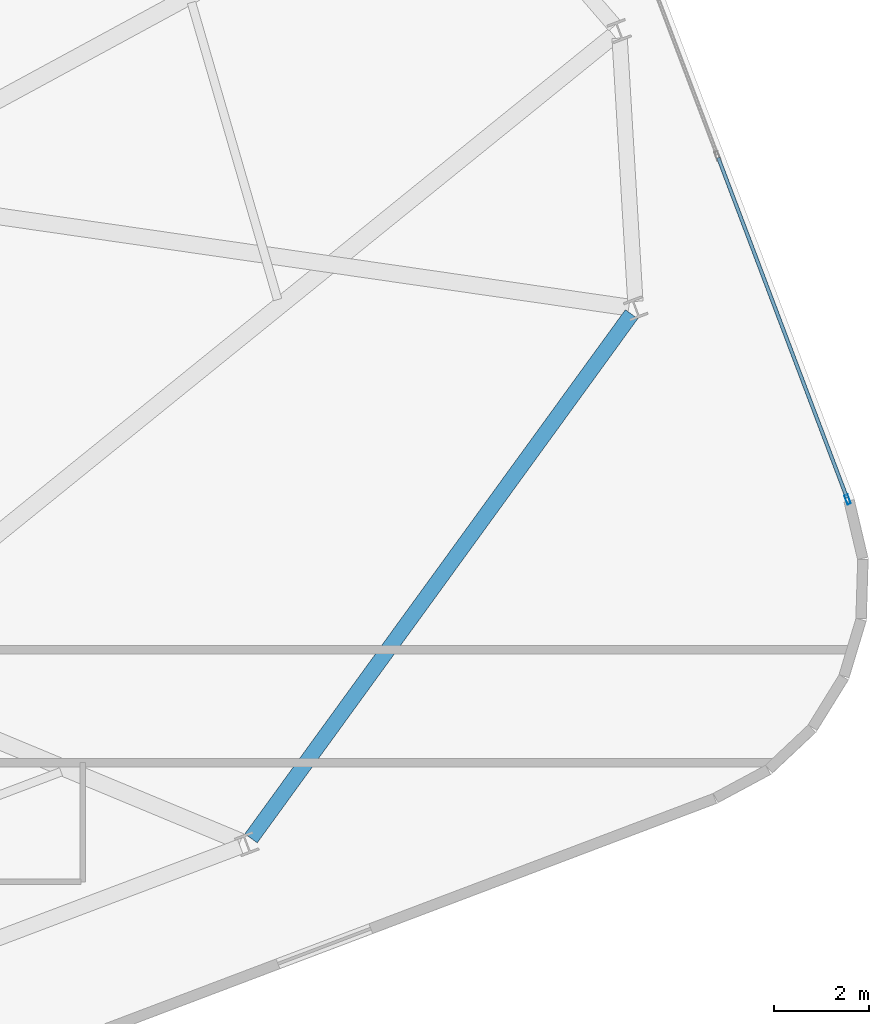
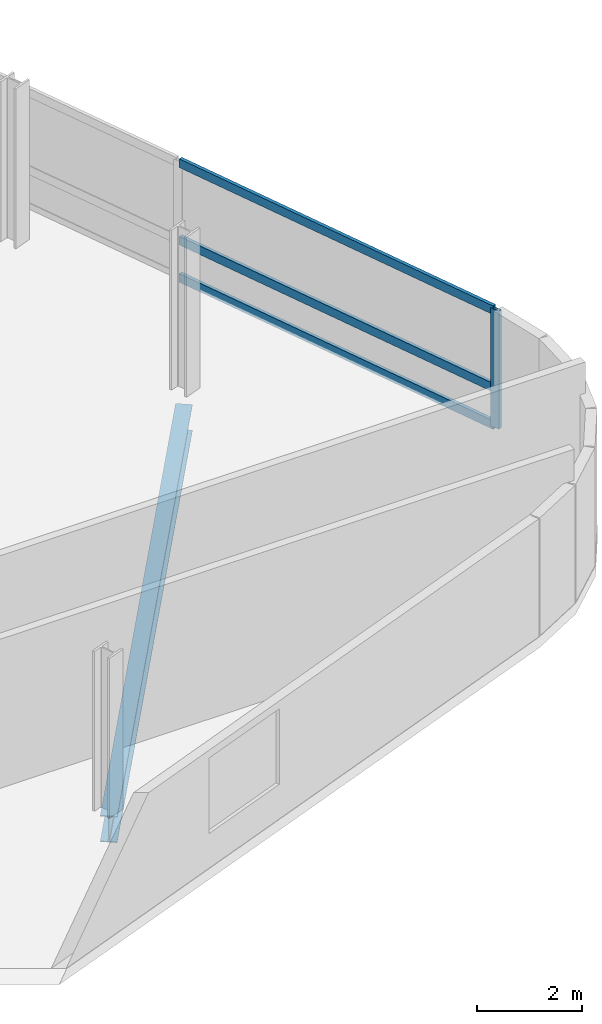
# One storey, part 11 of 20: 4 members, 1 beam, 1 element without a shape of its own.
"""IFC4 building model written with IfcOpenShell, lengths in metres."""

from ifc_helpers import new_model, si_unit, direction, frame, origin, origin_2d, place, context, subcontext, project, spatial, hollow_rectangle, i_section, extrude, material, layer, layer_set, material_profile, profile_set, type_object, element, aggregate, save


model = new_model("IFC4")

# Units and contexts
model_context = context("Model", 3, precision=1e-05, world=origin(), true_north=direction((0.0, 1.0)))
body_context = subcontext(model_context, "Body", "Model", "MODEL_VIEW")
ifc_project = project(units=[si_unit("LENGTHUNIT", "METRE"), si_unit("AREAUNIT", "SQUARE_METRE"), si_unit("VOLUMEUNIT", "CUBIC_METRE"), si_unit("PLANEANGLEUNIT", "RADIAN"), si_unit("MASSUNIT", "GRAM", prefix="KILO")], contexts=[model_context])

# Site, building, storey
site_placement = place(None, origin())
site = spatial("IfcSite", under=ifc_project, at=site_placement, CompositionType="ELEMENT")
building_placement = place(site_placement, origin())
building = spatial("IfcBuilding", under=site, at=building_placement, Name="Varnelok Gate Tower", CompositionType="ELEMENT")
storey_placement = place(building_placement, frame((0.0, 0.0, 216.39990234375)))
storey = spatial("IfcBuildingStorey", under=building, at=storey_placement, Name="L55", CompositionType="ELEMENT", Elevation=216.39990234375)

# Beam
ifc_material_1 = material(Name="Structural Steel ASTM A992 Grade 50", Category="steel")
ifc_material_profile_1 = material_profile(ifc_material_1, i_section(OverallWidth=0.323974609375, OverallDepth=0.611083984375, WebThickness=0.0126953125, FlangeThickness=0.01904296875, FilletRadius=0.01806640625, at=origin_2d()), Name="W24X104")
ifc_profile_set_1 = profile_set([ifc_material_profile_1], Name="Structural Steel ASTM A992 Grade 50")
beam_type = type_object("IfcBeamType", Name="BM-SPN-W24X104", PredefinedType="SPANDREL", material=ifc_profile_set_1)
beam_placement = place(storey_placement, frame((62.92041015625, 15.249755859375, -0.555419921875), z_axis=(0.58754084914, 0.809194507267, 0.0), x_axis=(-0.809194507267, 0.58754084914, 0.0)))
element("IfcBeam", 1, at=beam_placement, inside=storey, type_object=beam_type, Name="L55 Perimeter Spandrel Beam 5", PredefinedType="SPANDREL", context=body_context, shape_type="SweptSolid", body=[
    extrude(i_section(OverallWidth=0.323974609375, OverallDepth=0.611083984375, WebThickness=0.0126953125, FlangeThickness=0.01904296875, FilletRadius=0.01806640625, at=origin_2d()), origin(), (0.0, 0.0, 1.0), 13.695556640625),
])

# Curtain wall, members
ifc_material_2 = material(Name="Anodized Aluminum Alloy 6063-T6", Category="aluminium")
ifc_layer = layer(ifc_material_2, 0.179931640625)
ifc_layer_set = layer_set([ifc_layer], Name="Anodized Aluminum Alloy 6063-T6")
curtain_wall_type = type_object("IfcCurtainWallType", Name="CW4-RESIDENCE-VISION", PredefinedType="USERDEFINED", material=ifc_layer_set)
curtain_wall_placement = place(storey_placement, origin())
curtain_wall = element("IfcCurtainWall", 2, at=curtain_wall_placement, inside=storey, type_object=curtain_wall_type, Name="L55 East End Vision Curtain Wall", ObjectType="UNITISED CURTAIN WALL", PredefinedType="USERDEFINED")
ifc_material_profile_2 = material_profile(ifc_material_2, hollow_rectangle(XDim=0.074951171875, YDim=0.199951171875, WallThickness=0.00390625, at=origin_2d()), Name="ALU200X75X4")
ifc_profile_set_2 = profile_set([ifc_material_profile_2], Name="Anodized Aluminum Alloy 6063-T6")
member_type_1 = type_object("IfcMemberType", Name="CW-MULL-200", PredefinedType="MULLION", material=ifc_profile_set_2)
member_1_placement = place(storey_placement, frame((75.534912109375, 22.41552734375, 0.0), z_axis=(0.0, 0.0, 1.0), x_axis=(0.935221557832, 0.354063042079, 0.0)))
member_1 = element("IfcMember", 3, at=member_1_placement, type_object=member_type_1, Name="CW4 mullion 5", PredefinedType="MULLION", context=body_context, shape_type="SweptSolid", body=[
    extrude(hollow_rectangle(XDim=0.074951171875, YDim=0.199951171875, WallThickness=0.00390625, at=origin_2d()), origin(), (0.0, 0.0, 1.0), 2.72998046875),
])
ifc_material_profile_3 = material_profile(ifc_material_2, hollow_rectangle(XDim=0.074951171875, YDim=0.199951171875, WallThickness=0.00390625, at=origin_2d()), Name="ALU200X75X4")
ifc_profile_set_3 = profile_set([ifc_material_profile_3], Name="Anodized Aluminum Alloy 6063-T6")
member_type_2 = type_object("IfcMemberType", Name="CW-TRAN-200", PredefinedType="USERDEFINED", material=ifc_profile_set_3)
member_2_placement = place(storey_placement, frame((72.7998046875, 29.64013671875, 0.03759765625), z_axis=(0.354062525952, -0.935221753231, 0.0), x_axis=(0.935221753231, 0.354062525952, 0.0)))
member_2 = element("IfcMember", 4, at=member_2_placement, type_object=member_type_2, Name="CW4 transom 4.1", ObjectType="TRANSOM", PredefinedType="USERDEFINED", context=body_context, shape_type="SweptSolid", body=[
    extrude(hollow_rectangle(XDim=0.074951171875, YDim=0.199951171875, WallThickness=0.00390625, at=origin_2d()), origin(), (0.0, 0.0, 1.0), 7.687744140625),
])
member_3_placement = place(storey_placement, frame((72.7998046875, 29.64013671875, 0.900146484375), z_axis=(0.354062525952, -0.935221753231, 0.0), x_axis=(0.935221753231, 0.354062525952, 0.0)))
member_3 = element("IfcMember", 5, at=member_3_placement, type_object=member_type_2, Name="CW4 transom 4.2", ObjectType="TRANSOM", PredefinedType="USERDEFINED", context=body_context, shape_type="SweptSolid", body=[
    extrude(hollow_rectangle(XDim=0.074951171875, YDim=0.199951171875, WallThickness=0.00390625, at=origin_2d()), origin(), (0.0, 0.0, 1.0), 7.687744140625),
])
member_4_placement = place(storey_placement, frame((72.7998046875, 29.64013671875, 2.692626953125), z_axis=(0.354062525952, -0.935221753231, 0.0), x_axis=(0.935221753231, 0.354062525952, 0.0)))
member_4 = element("IfcMember", 6, at=member_4_placement, type_object=member_type_2, Name="CW4 transom 4.3", ObjectType="TRANSOM", PredefinedType="USERDEFINED", context=body_context, shape_type="SweptSolid", body=[
    extrude(hollow_rectangle(XDim=0.074951171875, YDim=0.199951171875, WallThickness=0.00390625, at=origin_2d()), origin(), (0.0, 0.0, 1.0), 7.687744140625),
])
aggregate(curtain_wall, [member_1, member_2, member_3, member_4])

save(model, "model.ifc")
